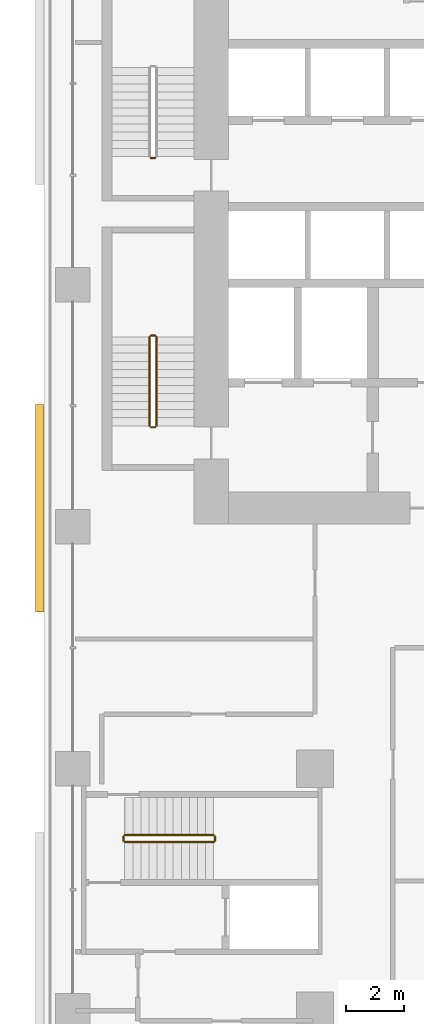
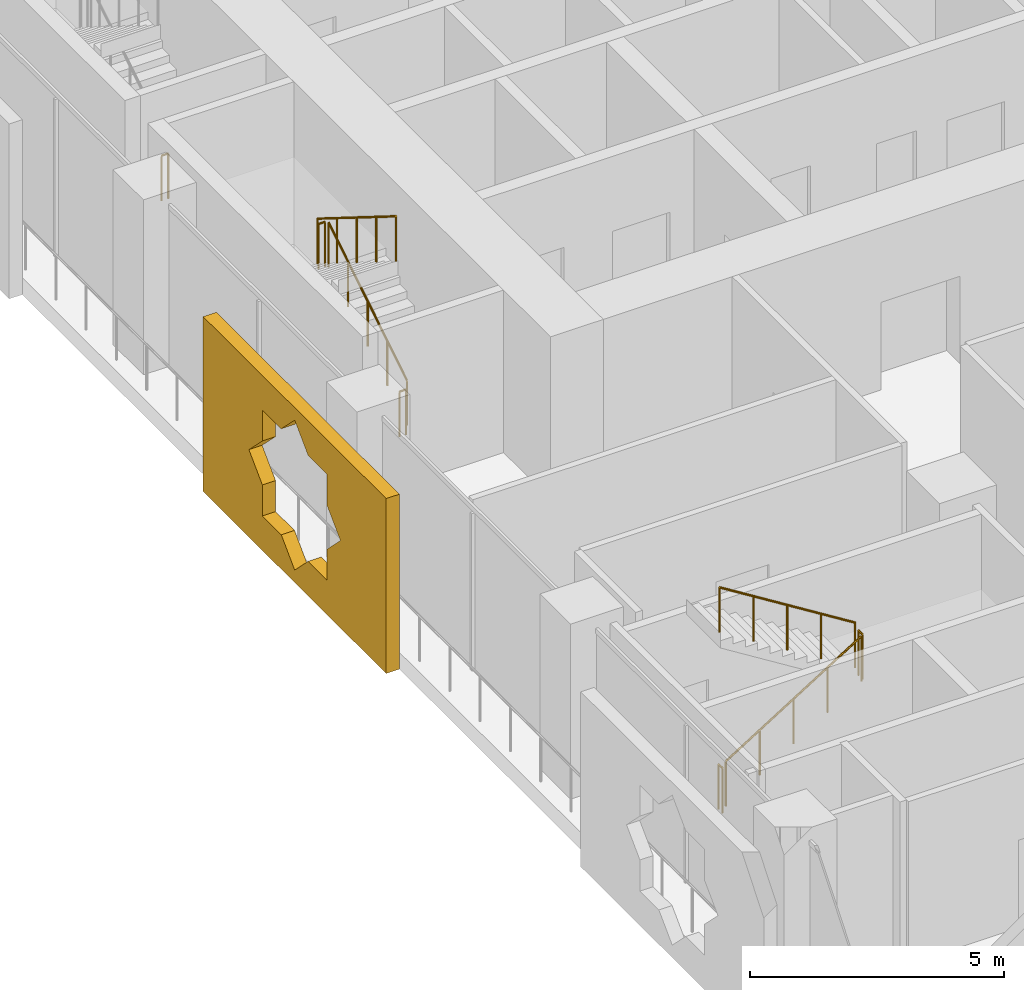
# One storey, part 22 of 26: 9 railings, 1 covering.
"""IFC4 building model written with IfcOpenShell, lengths in metres."""

import ifcopenshell
import ifcopenshell.guid

model = None  # the IFC model being written
_history = None  # IfcOwnerHistory: only IFC2X3 demands one
_inside = {}  # id of a spatial element -> (the spatial element, [elements in it])
_under = {}  # id of a project, library or spatial element -> (it, [spatial elements below it])
_declared = {}  # id of a project -> (the project, [libraries it declares])
_typed = {}  # id of a type object -> (the type object, [elements of that type])
_made_of = {}  # id of a material, layer set ... -> (it, [elements and type objects made of it])


def new_model(schema):
    """Start an empty IFC model of exactly this schema.

    Asked for "IFC4X3", IfcOpenShell would pick the latest addendum, in which some entities
    have other attributes; the version numbers below select the first issue.
    IFC2X3 requires an IfcOwnerHistory on every rooted entity: one is made here for all.
    """
    global model, _history
    if schema == "IFC4X3":
        model = ifcopenshell.file(schema_version=(4, 3, 0, 0))
    else:
        model = ifcopenshell.file(schema=schema)
    _inside.clear()
    _under.clear()
    _declared.clear()
    _typed.clear()
    _made_of.clear()
    _history = None
    if model.schema == "IFC2X3":
        org = make("IfcOrganization", Name="unknown")
        user = make(
            "IfcPersonAndOrganization",
            ThePerson=make("IfcPerson", FamilyName="unknown"),
            TheOrganization=org,
        )
        app = make(
            "IfcApplication",
            ApplicationDeveloper=org,
            Version="unknown",
            ApplicationFullName="unknown",
            ApplicationIdentifier="unknown",
        )
        _history = make(
            "IfcOwnerHistory",
            OwningUser=user,
            OwningApplication=app,
            ChangeAction="ADDED",
            CreationDate=0,
        )
    return model


def make(cls, **values):
    """One entity of the class cls with the attributes given. An attribute that is None is left unset."""
    return model.create_entity(
        cls, **{name: value for name, value in values.items() if value is not None}
    )


def rooted(cls, **values):
    """An entity with a GlobalId (a new one), such as an element, a storey or a relation."""
    return make(cls, GlobalId=ifcopenshell.guid.new(), OwnerHistory=_history, **values)


def si_unit(unit_type, name, prefix=None):
    """IfcSIUnit, for example si_unit("LENGTHUNIT", "METRE", prefix="MILLI")."""
    return make("IfcSIUnit", UnitType=unit_type, Prefix=prefix, Name=name)


def assignment(units):
    """IfcUnitAssignment: the units of a project."""
    return None if units is None else make("IfcUnitAssignment", Units=units)


def point(xyz):
    """IfcCartesianPoint."""
    return None if xyz is None else make("IfcCartesianPoint", Coordinates=xyz)


def direction(xyz):
    """IfcDirection."""
    return None if xyz is None else make("IfcDirection", DirectionRatios=xyz)


def frame(location, z_axis=None, x_axis=None):
    """IfcAxis2Placement3D, a coordinate frame: its origin and axes. An axis left out is left unset."""
    return make(
        "IfcAxis2Placement3D",
        Location=point(location),
        Axis=direction(z_axis),
        RefDirection=direction(x_axis),
    )


def frame_2d(location, x_axis=None):
    """IfcAxis2Placement2D, a coordinate frame in the plane: its origin and x axis."""
    return make(
        "IfcAxis2Placement2D", Location=point(location), RefDirection=direction(x_axis)
    )


def origin():
    """The frame at (0, 0, 0) with its axes left unset."""
    return frame((0.0, 0.0, 0.0))


def origin_2d():
    """The frame at (0, 0) in the plane with its x axis left unset."""
    return frame_2d((0.0, 0.0))


def place(relative_to, where):
    """IfcLocalPlacement: puts the frame where relative to a parent placement (None: the world)."""
    return make(
        "IfcLocalPlacement", PlacementRelTo=relative_to, RelativePlacement=where
    )


def context(
    kind, dimensions, precision=None, world=None, true_north=None, identifier=None
):
    """IfcGeometricRepresentationContext, for example the 3D "Model" context."""
    return make(
        "IfcGeometricRepresentationContext",
        ContextIdentifier=identifier,
        ContextType=kind,
        CoordinateSpaceDimension=dimensions,
        Precision=precision,
        WorldCoordinateSystem=world,
        TrueNorth=true_north,
    )


def subcontext(parent, identifier, kind, view, scale=None):
    """IfcGeometricRepresentationSubContext, for example "Body" below "Model"."""
    return make(
        "IfcGeometricRepresentationSubContext",
        ContextIdentifier=identifier,
        ContextType=kind,
        ParentContext=parent,
        TargetScale=scale,
        TargetView=view,
    )


def project(units=None, contexts=None):
    """IfcProject with its units and contexts."""
    return rooted(
        "IfcProject",
        Name="project",
        RepresentationContexts=contexts,
        UnitsInContext=assignment(units),
    )


def spatial(cls, under=None, at=None, **own):
    """A site, building, storey or space (cls), placed at a placement, below another one or the project."""
    s = rooted(cls, ObjectPlacement=at, **own)
    if under is not None:
        _under.setdefault(under.id(), (under, []))[1].append(s)
    return s


def polyline(points):
    """IfcPolyline through the points."""
    return make("IfcPolyline", Points=[point(p) for p in points])


def profile(cls, at=None, kind="AREA", **sizes):
    """A parametric profile (cls). Its sizes go by their IFC names, for example OverallWidth=200.0."""
    return make(cls, ProfileType=kind, Position=at, **sizes)


def circle(**sizes):
    """IfcCircleProfileDef."""
    return profile("IfcCircleProfileDef", **sizes)


def outline(outer, holes=None, kind="AREA"):
    """IfcArbitraryClosedProfileDef: a profile drawn as a closed curve; with holes, ...WithVoids."""
    if holes is None:
        return make("IfcArbitraryClosedProfileDef", ProfileType=kind, OuterCurve=outer)
    return make(
        "IfcArbitraryProfileDefWithVoids",
        ProfileType=kind,
        OuterCurve=outer,
        InnerCurves=holes,
    )


def extrude(swept, where, along, depth):
    """IfcExtrudedAreaSolid: the profile swept, set in the frame where, extruded along a direction by depth."""
    return make(
        "IfcExtrudedAreaSolid",
        SweptArea=swept,
        Position=where,
        ExtrudedDirection=direction(along),
        Depth=depth,
    )


def shape(context_of_items, identifier, shape_type, items):
    """IfcShapeRepresentation: the items that make up one representation, for example the "Body"."""
    return make(
        "IfcShapeRepresentation",
        ContextOfItems=context_of_items,
        RepresentationIdentifier=identifier,
        RepresentationType=shape_type,
        Items=items,
    )


def material(Name=None, Category=None):
    """IfcMaterial."""
    return make("IfcMaterial", Name=Name, Category=Category)


def material_profile(
    of_material, cross_section, Name=None, Category=None, Priority=None
):
    """IfcMaterialProfile: a cross section and its material."""
    return make(
        "IfcMaterialProfile",
        Name=Name,
        Material=of_material,
        Profile=cross_section,
        Priority=Priority,
        Category=Category,
    )


def profile_set(profiles, Name=None, composite=None):
    """IfcMaterialProfileSet."""
    return make(
        "IfcMaterialProfileSet",
        Name=Name,
        MaterialProfiles=profiles,
        CompositeProfile=composite,
    )


def made_of(thing, what):
    """Note that an element or type object is made of a material, layer set ...; save() writes the relation."""
    if what is not None:
        _made_of.setdefault(what.id(), (what, []))[1].append(thing)
    return thing


def type_object(cls, material=None, **own):
    """A type object (cls), such as IfcWallType, which elements share."""
    return made_of(rooted(cls, **own), material)


def element(
    cls,
    number,
    at=None,
    inside=None,
    cuts=None,
    type_object=None,
    material=None,
    context=None,
    identifier="Body",
    shape_type=None,
    held_by="IfcProductDefinitionShape",
    body=None,
    shapes=None,
    **own,
):
    """One element of the class cls, such as IfcWall. Its Tag is "e" and its number.

    at: its placement. inside: the storey or other place that contains it. cuts: it is an
    opening in that element (IfcRelVoidsElement). A single representation is given by context,
    identifier, shape_type and body (its items); several are given by shapes. held_by: the class
    of the entity that holds the representations. save() writes the other relations.
    """
    e = rooted(cls, Tag="e%d" % number, ObjectPlacement=at, **own)
    if body is not None:
        shapes = [shape(context, identifier, shape_type, body)]
    if shapes is not None:
        e.Representation = make(held_by, Representations=shapes)
    if inside is not None:
        _inside.setdefault(inside.id(), (inside, []))[1].append(e)
    if cuts is not None:
        rooted(
            "IfcRelVoidsElement", RelatingBuildingElement=cuts, RelatedOpeningElement=e
        )
    if type_object is not None:
        _typed.setdefault(type_object.id(), (type_object, []))[1].append(e)
    return made_of(e, material)


def aggregate(whole, parts):
    """IfcRelAggregates: a whole, such as a stair, and the parts it consists of."""
    return rooted("IfcRelAggregates", RelatingObject=whole, RelatedObjects=parts)


def save(model, path):
    """Write the relations noted so far, then the file.

    IfcRelAggregates (storeys below a building ...), IfcRelContainedInSpatialStructure (elements
    in a storey), IfcRelDefinesByType, IfcRelAssociatesMaterial and IfcRelDeclares: one each for
    every whole, place, type object, material and project.
    """
    for whole, parts in _under.values():
        aggregate(whole, parts)
    for where, things in _inside.values():
        rooted(
            "IfcRelContainedInSpatialStructure",
            RelatedElements=things,
            RelatingStructure=where,
        )
    for kind, things in _typed.values():
        rooted("IfcRelDefinesByType", RelatedObjects=things, RelatingType=kind)
    for what, things in _made_of.values():
        rooted("IfcRelAssociatesMaterial", RelatedObjects=things, RelatingMaterial=what)
    for by, libraries in _declared.values():
        rooted("IfcRelDeclares", RelatingContext=by, RelatedDefinitions=libraries)
    model.write(path)


model = new_model("IFC4")

# Units and contexts
model_context = context("Model", 3, precision=1e-05, world=origin(), true_north=direction((0.0, 1.0)))
body_context = subcontext(model_context, "Body", "Model", "MODEL_VIEW")
ifc_project = project(units=[si_unit("LENGTHUNIT", "METRE"), si_unit("AREAUNIT", "SQUARE_METRE"), si_unit("VOLUMEUNIT", "CUBIC_METRE"), si_unit("PLANEANGLEUNIT", "RADIAN"), si_unit("MASSUNIT", "GRAM", prefix="KILO")], contexts=[model_context])

# Site, building, storey
site_placement = place(None, origin())
site = spatial("IfcSite", under=ifc_project, at=site_placement, CompositionType="ELEMENT")
building_placement = place(site_placement, origin())
building = spatial("IfcBuilding", under=site, at=building_placement, Name="Kawkab Arch Medical Tower", CompositionType="ELEMENT")
storey_placement = place(building_placement, frame((0.0, 0.0, 51.800048828125)))
storey = spatial("IfcBuildingStorey", under=building, at=storey_placement, Name="L11", CompositionType="ELEMENT", Elevation=51.800048828125)

# Covering
ifc_material_1 = material(Name="Bronze anodised aluminium mashrabiya panel, eight-point star pattern", Category="aluminium")
ifc_material_profile = material_profile(ifc_material_1, outline(polyline([(-3.60009765625, -2.10009765625), (3.60009765625, -2.10009765625), (3.60009765625, 2.10009765625), (-3.60009765625, 2.10009765625), (-3.60009765625, -2.10009765625)]), holes=[polyline([(1.800048828125, 0.0), (1.272705078125, 0.527099609375), (1.272705078125, 1.272705078125), (0.527099609375, 1.272705078125), (0.0, 1.800048828125), (-0.527099609375, 1.272705078125), (-1.272705078125, 1.272705078125), (-1.272705078125, 0.527099609375), (-1.800048828125, 0.0), (-1.272705078125, -0.527099609375), (-1.272705078125, -1.272705078125), (-0.527099609375, -1.272705078125), (0.0, -1.800048828125), (0.527099609375, -1.272705078125), (1.272705078125, -1.272705078125), (1.272705078125, -0.527099609375), (1.800048828125, 0.0)])]), Name="Mashrabiya panel 7200x4200")
ifc_profile_set = profile_set([ifc_material_profile], Name="Bronze anodised aluminium mashrabiya panel, eight-point star pattern")
covering_type = type_object("IfcCoveringType", Name="Mashrabiya panel 7200 x 4200", PredefinedType="USERDEFINED", material=ifc_profile_set)
covering_placement = place(storey_placement, frame((-1.0, -24.561767578125, 1.699951171875), z_axis=(-1.0, 0.0, 0.0), x_axis=(0.0, -1.0, 0.0)))
element("IfcCovering", 1, at=covering_placement, inside=storey, type_object=covering_type, Name="Mashrabiya panel L11.LOG-01-01.3", ObjectType="SCREEN", PredefinedType="USERDEFINED", context=body_context, shape_type="SweptSolid", body=[
    extrude(outline(polyline([(-3.60009765625, -2.10009765625), (3.60009765625, -2.10009765625), (3.60009765625, 2.10009765625), (-3.60009765625, 2.10009765625), (-3.60009765625, -2.10009765625)]), holes=[polyline([(1.800048828125, 0.0), (1.272705078125, 0.527099609375), (1.272705078125, 1.272705078125), (0.527099609375, 1.272705078125), (0.0, 1.800048828125), (-0.527099609375, 1.272705078125), (-1.272705078125, 1.272705078125), (-1.272705078125, 0.527099609375), (-1.800048828125, 0.0), (-1.272705078125, -0.527099609375), (-1.272705078125, -1.272705078125), (-0.527099609375, -1.272705078125), (0.0, -1.800048828125), (0.527099609375, -1.272705078125), (1.272705078125, -1.272705078125), (1.272705078125, -0.527099609375), (1.800048828125, 0.0)])]), origin(), (0.0, 0.0, 1.0), 0.300048828125),
])

# Railings
ifc_material_2 = material(Name="Stainless steel", Category="steel")
railing_type = type_object("IfcRailingType", Name="Stair guard 1100", PredefinedType="GUARDRAIL", material=ifc_material_2)
railing_1_placement = place(storey_placement, frame((2.85009765625, -12.39990234375, 0.0)))
element("IfcRailing", 2, at=railing_1_placement, inside=storey, type_object=railing_type, Name="L11 ST1 stair guard 4", PredefinedType="GUARDRAIL", context=body_context, shape_type="SweptSolid", body=[
    extrude(circle(Radius=0.02392578125, at=origin_2d()), frame((0.0, 0.0, 1.076171875), z_axis=(-1.0, 0.0, 0.0), x_axis=(0.0, -1.0, 0.0)), (0.0, 0.0, 1.0), 0.150146484375),
    extrude(circle(Radius=0.02099609375, at=origin_2d()), origin(), (0.0, 0.0, 1.0), 1.052001953125),
    extrude(circle(Radius=0.02099609375, at=origin_2d()), frame((-0.150146484375, 0.0, 0.0)), (0.0, 0.0, 1.0), 1.052001953125),
])
railing_2_placement = place(storey_placement, frame((2.89990234375, -21.699951171875, 0.175048828125)))
element("IfcRailing", 3, at=railing_2_placement, inside=storey, type_object=railing_type, Name="L11 ST2 stair guard 1", PredefinedType="GUARDRAIL", context=body_context, shape_type="SweptSolid", body=[
    extrude(circle(Radius=0.02392578125, at=origin_2d()), frame((0.0, 0.0, 1.076171875), z_axis=(0.0, 0.848009633417, 0.529980812513), x_axis=(-1.0, 0.0, 0.0)), (0.0, 0.0, 1.0), 3.6318359375),
    extrude(circle(Radius=0.02099609375, at=origin_2d()), origin(), (0.0, 0.0, 1.0), 1.052001953125),
    extrude(circle(Radius=0.02099609375, at=origin_2d()), frame((0.0, 0.77001953125, 0.481201171875)), (0.0, 0.0, 1.0), 1.052001953125),
    extrude(circle(Radius=0.02099609375, at=origin_2d()), frame((0.0, 1.5400390625, 0.96240234375)), (0.0, 0.0, 1.0), 1.052001953125),
    extrude(circle(Radius=0.02099609375, at=origin_2d()), frame((0.0, 2.309814453125, 1.443603515625)), (0.0, 0.0, 1.0), 1.052001953125),
    extrude(circle(Radius=0.02099609375, at=origin_2d()), frame((0.0, 3.079833984375, 1.9248046875)), (0.0, 0.0, 1.0), 1.052001953125),
])
railing_3_placement = place(storey_placement, frame((2.85009765625, -18.570068359375, 2.099853515625)))
element("IfcRailing", 4, at=railing_3_placement, inside=storey, type_object=railing_type, Name="L11 ST2 stair guard 2", PredefinedType="GUARDRAIL", context=body_context, shape_type="SweptSolid", body=[
    extrude(circle(Radius=0.02392578125, at=origin_2d()), frame((0.0, 0.0, 1.076171875), z_axis=(-1.0, 0.0, 0.0), x_axis=(0.0, -1.0, 0.0)), (0.0, 0.0, 1.0), 0.150146484375),
    extrude(circle(Radius=0.02099609375, at=origin_2d()), origin(), (0.0, 0.0, 1.0), 1.052001953125),
    extrude(circle(Radius=0.02099609375, at=origin_2d()), frame((-0.150146484375, 0.0, 0.0)), (0.0, 0.0, 1.0), 1.052001953125),
])
railing_4_placement = place(storey_placement, frame((2.64990234375, -18.6201171875, 2.27490234375)))
element("IfcRailing", 5, at=railing_4_placement, inside=storey, type_object=railing_type, Name="L11 ST2 stair guard 3", PredefinedType="GUARDRAIL", context=body_context, shape_type="SweptSolid", body=[
    extrude(circle(Radius=0.02392578125, at=origin_2d()), frame((0.0, 0.0, 1.076171875), z_axis=(0.0, -0.847979421464, 0.530029150871), x_axis=(1.0, 0.0, 0.0)), (0.0, 0.0, 1.0), 3.632080078125),
    extrude(circle(Radius=0.02099609375, at=origin_2d()), origin(), (0.0, 0.0, 1.0), 1.052001953125),
    extrude(circle(Radius=0.02099609375, at=origin_2d()), frame((0.0, -0.77001953125, 0.481201171875)), (0.0, 0.0, 1.0), 1.052001953125),
    extrude(circle(Radius=0.02099609375, at=origin_2d()), frame((0.0, -1.5400390625, 0.96240234375)), (0.0, 0.0, 1.0), 1.052001953125),
    extrude(circle(Radius=0.02099609375, at=origin_2d()), frame((0.0, -2.309814453125, 1.44384765625)), (0.0, 0.0, 1.0), 1.052001953125),
    extrude(circle(Radius=0.02099609375, at=origin_2d()), frame((0.0, -3.079833984375, 1.925048828125)), (0.0, 0.0, 1.0), 1.052001953125),
])
railing_5_placement = place(storey_placement, frame((2.85009765625, -21.75, 0.0)))
element("IfcRailing", 6, at=railing_5_placement, inside=storey, type_object=railing_type, Name="L11 ST2 stair guard 4", PredefinedType="GUARDRAIL", context=body_context, shape_type="SweptSolid", body=[
    extrude(circle(Radius=0.02392578125, at=origin_2d()), frame((0.0, 0.0, 1.076171875), z_axis=(-1.0, 0.0, 0.0), x_axis=(0.0, -1.0, 0.0)), (0.0, 0.0, 1.0), 0.150146484375),
    extrude(circle(Radius=0.02099609375, at=origin_2d()), origin(), (0.0, 0.0, 1.0), 1.052001953125),
    extrude(circle(Radius=0.02099609375, at=origin_2d()), frame((-0.150146484375, 0.0, 0.0)), (0.0, 0.0, 1.0), 1.052001953125),
])
railing_6_placement = place(storey_placement, frame((1.800048828125, -36.14990234375, 0.175048828125)))
element("IfcRailing", 7, at=railing_6_placement, inside=storey, type_object=railing_type, Name="L11 ST6 stair guard 1", PredefinedType="GUARDRAIL", context=body_context, shape_type="SweptSolid", body=[
    extrude(circle(Radius=0.02392578125, at=origin_2d()), frame((0.0, 0.0, 1.076171875), z_axis=(0.848009633417, 0.0, 0.529980812513), x_axis=(0.0, 1.0, 0.0)), (0.0, 0.0, 1.0), 3.6318359375),
    extrude(circle(Radius=0.02099609375, at=origin_2d()), origin(), (0.0, 0.0, 1.0), 1.052001953125),
    extrude(circle(Radius=0.02099609375, at=origin_2d()), frame((0.77001953125, 0.0, 0.481201171875)), (0.0, 0.0, 1.0), 1.052001953125),
    extrude(circle(Radius=0.02099609375, at=origin_2d()), frame((1.5400390625, 0.0, 0.96240234375)), (0.0, 0.0, 1.0), 1.052001953125),
    extrude(circle(Radius=0.02099609375, at=origin_2d()), frame((2.309814453125, 0.0, 1.443603515625)), (0.0, 0.0, 1.0), 1.052001953125),
    extrude(circle(Radius=0.02099609375, at=origin_2d()), frame((3.079833984375, 0.0, 1.9248046875)), (0.0, 0.0, 1.0), 1.052001953125),
])
railing_7_placement = place(storey_placement, frame((4.929931640625, -36.10009765625, 2.099853515625)))
element("IfcRailing", 8, at=railing_7_placement, inside=storey, type_object=railing_type, Name="L11 ST6 stair guard 2", PredefinedType="GUARDRAIL", context=body_context, shape_type="SweptSolid", body=[
    extrude(circle(Radius=0.02392578125, at=origin_2d()), frame((0.0, 0.0, 1.076171875), z_axis=(0.0, 1.0, 0.0), x_axis=(-1.0, 0.0, 0.0)), (0.0, 0.0, 1.0), 0.150146484375),
    extrude(circle(Radius=0.02099609375, at=origin_2d()), origin(), (0.0, 0.0, 1.0), 1.052001953125),
    extrude(circle(Radius=0.02099609375, at=origin_2d()), frame((0.0, 0.150146484375, 0.0)), (0.0, 0.0, 1.0), 1.052001953125),
])
railing_8_placement = place(storey_placement, frame((4.8798828125, -35.89990234375, 2.27490234375)))
element("IfcRailing", 9, at=railing_8_placement, inside=storey, type_object=railing_type, Name="L11 ST6 stair guard 3", PredefinedType="GUARDRAIL", context=body_context, shape_type="SweptSolid", body=[
    extrude(circle(Radius=0.02392578125, at=origin_2d()), frame((0.0, 0.0, 1.076171875), z_axis=(-0.847979421464, 0.0, 0.530029150871), x_axis=(0.0, -1.0, 0.0)), (0.0, 0.0, 1.0), 3.632080078125),
    extrude(circle(Radius=0.02099609375, at=origin_2d()), origin(), (0.0, 0.0, 1.0), 1.052001953125),
    extrude(circle(Radius=0.02099609375, at=origin_2d()), frame((-0.77001953125, 0.0, 0.481201171875)), (0.0, 0.0, 1.0), 1.052001953125),
    extrude(circle(Radius=0.02099609375, at=origin_2d()), frame((-1.5400390625, 0.0, 0.96240234375)), (0.0, 0.0, 1.0), 1.052001953125),
    extrude(circle(Radius=0.02099609375, at=origin_2d()), frame((-2.309814453125, 0.0, 1.44384765625)), (0.0, 0.0, 1.0), 1.052001953125),
    extrude(circle(Radius=0.02099609375, at=origin_2d()), frame((-3.079833984375, 0.0, 1.925048828125)), (0.0, 0.0, 1.0), 1.052001953125),
])
railing_9_placement = place(storey_placement, frame((1.75, -36.10009765625, 0.0)))
element("IfcRailing", 10, at=railing_9_placement, inside=storey, type_object=railing_type, Name="L11 ST6 stair guard 4", PredefinedType="GUARDRAIL", context=body_context, shape_type="SweptSolid", body=[
    extrude(circle(Radius=0.02392578125, at=origin_2d()), frame((0.0, 0.0, 1.076171875), z_axis=(0.0, 1.0, 0.0), x_axis=(-1.0, 0.0, 0.0)), (0.0, 0.0, 1.0), 0.150146484375),
    extrude(circle(Radius=0.02099609375, at=origin_2d()), origin(), (0.0, 0.0, 1.0), 1.052001953125),
    extrude(circle(Radius=0.02099609375, at=origin_2d()), frame((0.0, 0.150146484375, 0.0)), (0.0, 0.0, 1.0), 1.052001953125),
])

save(model, "model.ifc")
